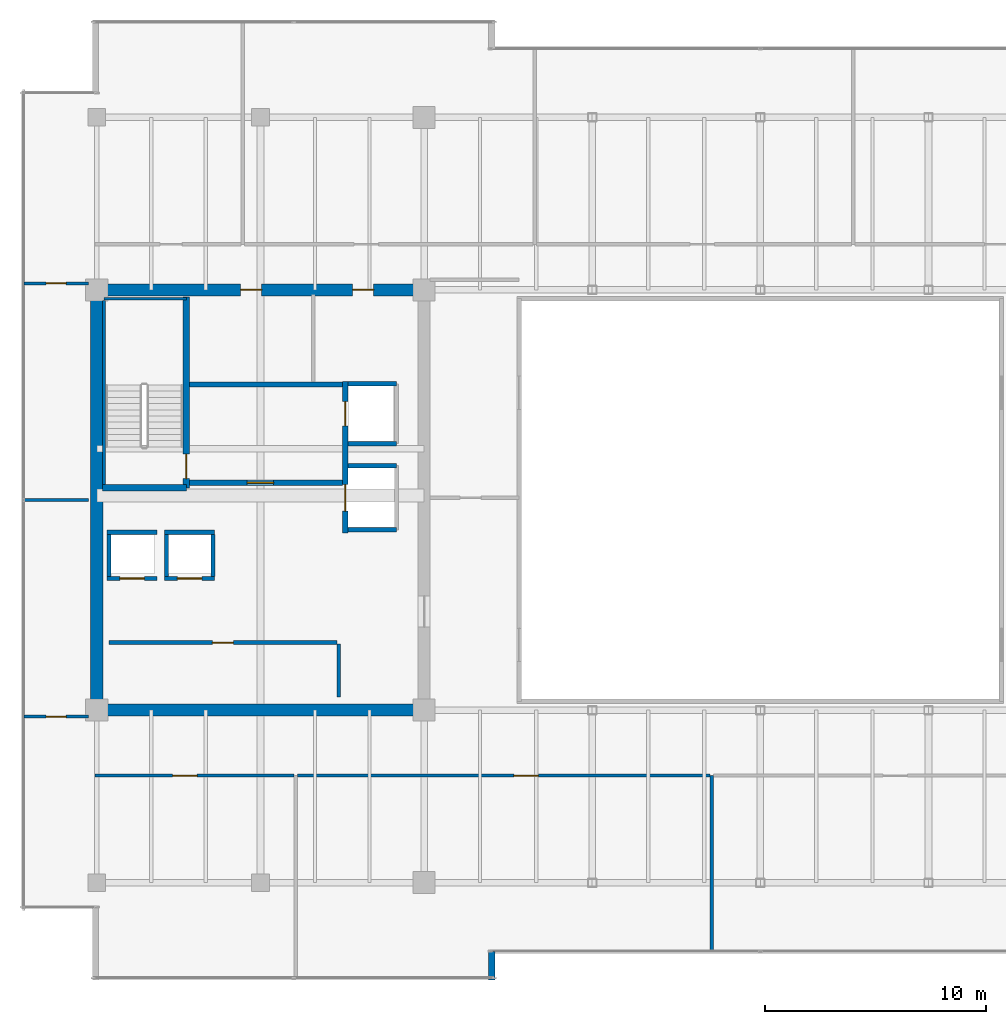
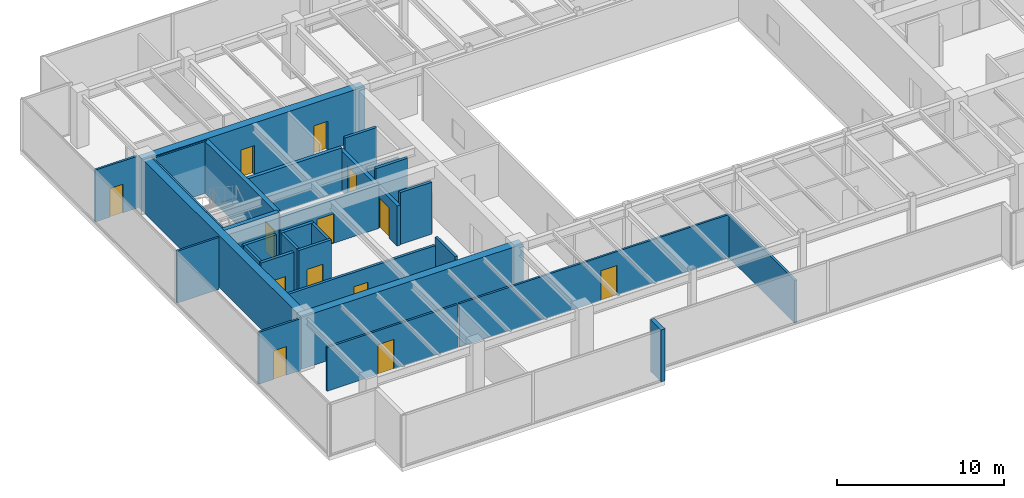
# One storey, part 28 of 33: 30 walls, 13 doors, 13 openings.
"""IFC4 building model written with IfcOpenShell, lengths in metres."""

from ifc_helpers import new_model, si_unit, direction, frame, frame_2d, origin, place, context, subcontext, project, spatial, rectangle, extrude, source, transform, mapped, material, layer, layer_set, type_object, type_shapes, element, fill, save


model = new_model("IFC4")

# Units and contexts
model_context = context("Model", 3, precision=1e-05, world=origin(), true_north=direction((0.0, 1.0)))
body_context = subcontext(model_context, "Body", "Model", "MODEL_VIEW")
ifc_project = project(units=[si_unit("LENGTHUNIT", "METRE"), si_unit("AREAUNIT", "SQUARE_METRE"), si_unit("VOLUMEUNIT", "CUBIC_METRE"), si_unit("PLANEANGLEUNIT", "RADIAN"), si_unit("MASSUNIT", "GRAM", prefix="KILO")], contexts=[model_context])

# Site, building, storey
site_placement = place(None, origin())
site = spatial("IfcSite", under=ifc_project, at=site_placement, CompositionType="ELEMENT")
building_placement = place(site_placement, origin())
building = spatial("IfcBuilding", under=site, at=building_placement, Name="Haelvirn Gate Laboratories", CompositionType="ELEMENT")
storey_placement = place(building_placement, frame((0.0, 0.0, 217.800048828125)))
storey = spatial("IfcBuildingStorey", under=building, at=storey_placement, Name="L52", CompositionType="ELEMENT", Elevation=217.800048828125)

# Walls
ifc_material_1 = material(Name="Thermally-broken bronze aluminium rainscreen & mineral wool", Category="aluminium")
ifc_layer_1 = layer(ifc_material_1, 0.280029296875, Name="EW-TERR-280")
ifc_layer_set_1 = layer_set([ifc_layer_1], Name="Thermally-broken bronze aluminium rainscreen & mineral wool")
wall_type_1 = type_object("IfcWallType", Name="EW-TERR-280", PredefinedType="STANDARD", material=ifc_layer_set_1)
wall_1_placement = place(storey_placement, frame((25.260009765625, 2.60009765625, 0.0), z_axis=(0.0, 0.0, 1.0), x_axis=(0.0, 1.0, 0.0)))
element("IfcWall", 1, at=wall_1_placement, inside=storey, type_object=wall_type_1, Name="L52 Atrium Recess Bronze Return Wall 01", PredefinedType="STANDARD", context=body_context, shape_type="SweptSolid", body=[
    extrude(rectangle(XDim=1.29296875, YDim=0.280029296875, at=frame_2d((0.646484375, 0.0))), origin(), (0.0, 0.0, 1.0), 3.800048828125),
])
ifc_material_2 = material(Name="Double-layer acoustic gypsum laboratory partition", Category="gypsum")
ifc_layer_2 = layer(ifc_material_2, 0.159912109375, Name="IW-ACOUST-160")
ifc_layer_set_2 = layer_set([ifc_layer_2], Name="Double-layer acoustic gypsum laboratory partition")
wall_type_2 = type_object("IfcWallType", Name="IW-ACOUST-160", PredefinedType="PARTITIONING", material=ifc_layer_set_2)
wall_2_placement = place(storey_placement, frame((35.199951171875, 3.909912109375, 0.0), z_axis=(0.0, 0.0, 1.0), x_axis=(0.0, 1.0, 0.0)))
element("IfcWall", 2, at=wall_2_placement, inside=storey, type_object=wall_type_2, Name="L52 Interior Wall IW-L52-SDIV-02", PredefinedType="PARTITIONING", context=body_context, shape_type="SweptSolid", body=[
    extrude(rectangle(XDim=7.93017578125, YDim=0.159912109375, at=frame_2d((3.965087890625, 0.0))), origin(), (0.0, 0.0, 1.0), 3.135009765625),
])

# Wall, opening, door
ifc_material_3 = material(Name="Acoustic mineral-wool gypsum board partition", Category="gypsum")
ifc_layer_3 = layer(ifc_material_3, 0.139892578125, Name="IW-PART-140")
ifc_layer_set_3 = layer_set([ifc_layer_3], Name="Acoustic mineral-wool gypsum board partition")
wall_type_3 = type_object("IfcWallType", Name="IW-PART-140", PredefinedType="PARTITIONING", material=ifc_layer_set_3)
wall_3_placement = place(storey_placement, frame((7.31005859375, 11.840087890625, 0.0), z_axis=(0.0, 0.0, 1.0), x_axis=(1.0, 0.0, 0.0)))
wall_3 = element("IfcWall", 3, at=wall_3_placement, inside=storey, type_object=wall_type_3, Name="L52 Interior Wall IW-L52-SCORR-01", PredefinedType="PARTITIONING", context=body_context, shape_type="SweptSolid", body=[
    extrude(rectangle(XDim=9.010009765625, YDim=0.139892578125, at=frame_2d((4.5048828125, 0.0))), origin(), (0.0, 0.0, 1.0), 3.197021484375),
])
opening_1_placement = place(wall_3_placement, frame((3.5224609375, 0.0, 0.0)))
opening_1 = element("IfcOpeningElement", 4, at=opening_1_placement, cuts=wall_3, Name="Opening D1", PredefinedType="OPENING", context=body_context, shape_type="SweptSolid", body=[
    extrude(rectangle(XDim=1.10009765625, YDim=2.179931640625, at=frame_2d((0.550048828125, 1.08984375))), frame((0.0, 0.080078125, 0.0), z_axis=(0.0, -1.0, 0.0), x_axis=(1.0, 0.0, 0.0)), (0.0, 0.0, 1.0), 0.159912109375),
])
ifc_material_4 = material(Name="Vision-panel acoustic solid-core timber lab door", Category="wood")
door_type_1 = type_object("IfcDoorType", Name="DR-LAB-1100", OperationType="NOTDEFINED", PredefinedType="DOOR", material=ifc_material_4)
shared_shape_1 = source(origin(), body_context, "Body", "SweptSolid", [
    extrude(rectangle(XDim=1.10009765625, YDim=2.179931640625, at=frame_2d((0.550048828125, 1.08984375))), frame((0.0, 0.02490234375, 0.0), z_axis=(0.0, -1.0, 0.0), x_axis=(1.0, 0.0, 0.0)), (0.0, 0.0, 1.0), 0.050048828125),
])
type_shapes(door_type_1, [shared_shape_1])
door_1_placement = place(opening_1_placement, origin())
door_1 = element("IfcDoor", 5, at=door_1_placement, inside=storey, type_object=door_type_1, Name="L52 Bioinformatics Dry-Lab Workspace Door S1", OperationType="SINGLE_SWING_LEFT", OverallHeight=2.179931640625, OverallWidth=1.10009765625, PredefinedType="DOOR", context=body_context, shape_type="MappedRepresentation", body=[
    mapped(shared_shape_1, transform((0.0, 0.0, 0.0), scale=1.0)),
])
fill(opening_1, door_1)

wall_4_placement = place(storey_placement, frame((16.47998046875, 11.840087890625, 0.0), z_axis=(0.0, 0.0, 1.0), x_axis=(1.0, 0.0, 0.0)))
wall_4 = element("IfcWall", 6, at=wall_4_placement, inside=storey, type_object=wall_type_3, Name="L52 Interior Wall IW-L52-SCORR-02", PredefinedType="PARTITIONING", context=body_context, shape_type="SweptSolid", body=[
    extrude(rectangle(XDim=18.64013671875, YDim=0.139892578125, at=frame_2d((9.320068359375, 0.0))), origin(), (0.0, 0.0, 1.0), 3.197021484375),
])
opening_2_placement = place(wall_4_placement, frame((9.780517578125, 0.0, 0.0)))
opening_2 = element("IfcOpeningElement", 7, at=opening_2_placement, cuts=wall_4, Name="Opening D1", PredefinedType="OPENING", context=body_context, shape_type="SweptSolid", body=[
    extrude(rectangle(XDim=1.10009765625, YDim=2.179931640625, at=frame_2d((0.550048828125, 1.08984375))), frame((0.0, 0.080078125, 0.0), z_axis=(0.0, -1.0, 0.0), x_axis=(1.0, 0.0, 0.0)), (0.0, 0.0, 1.0), 0.159912109375),
])
door_2_placement = place(opening_2_placement, origin())
door_2 = element("IfcDoor", 8, at=door_2_placement, inside=storey, type_object=door_type_1, Name="L52 Translational Data Office Door S2", OperationType="SINGLE_SWING_RIGHT", OverallHeight=2.179931640625, OverallWidth=1.10009765625, PredefinedType="DOOR", context=body_context, shape_type="MappedRepresentation", body=[
    mapped(shared_shape_1, transform((0.0, 0.0, 0.0), scale=1.0)),
])
fill(opening_2, door_2)

# Wall
wall_5_placement = place(storey_placement, frame((4.110107421875, 24.300048828125, 0.0), z_axis=(0.0, 0.0, 1.0), x_axis=(1.0, 0.0, 0.0)))
element("IfcWall", 9, at=wall_5_placement, inside=storey, type_object=wall_type_3, Name="L52 Interior Wall IW-L52-WZ3-MID", PredefinedType="PARTITIONING", context=body_context, shape_type="SweptSolid", body=[
    extrude(rectangle(XDim=2.909912109375, YDim=0.139892578125, at=frame_2d((1.455078125, 0.0))), origin(), (0.0, 0.0, 1.0), 3.800048828125),
])

# Wall, opening, door
wall_6_placement = place(storey_placement, frame((4.110107421875, 14.5048828125, 0.0), z_axis=(0.0, 0.0, 1.0), x_axis=(1.0, 0.0, 0.0)))
wall_6 = element("IfcWall", 10, at=wall_6_placement, inside=storey, type_object=wall_type_3, Name="L52 Interior Wall IW-L52-WZ3-ENT-S", PredefinedType="PARTITIONING", context=body_context, shape_type="SweptSolid", body=[
    extrude(rectangle(XDim=2.909912109375, YDim=0.139892578125, at=frame_2d((1.455078125, 0.0))), origin(), (0.0, 0.0, 1.0), 3.800048828125),
])
opening_3_placement = place(wall_6_placement, frame((1.0048828125, 0.0, 0.0)))
opening_3 = element("IfcOpeningElement", 11, at=opening_3_placement, cuts=wall_6, Name="Opening D4", PredefinedType="OPENING", context=body_context, shape_type="SweptSolid", body=[
    extrude(rectangle(XDim=0.89990234375, YDim=2.10009765625, at=frame_2d((0.449951171875, 1.050048828125))), frame((0.0, 0.080078125, 0.0), z_axis=(0.0, -1.0, 0.0), x_axis=(1.0, 0.0, 0.0)), (0.0, 0.0, 1.0), 0.159912109375),
])
ifc_material_5 = material(Name="Glazed aluminium-framed write-up door", Category="aluminium")
door_type_2 = type_object("IfcDoorType", Name="DR-OFF-900", OperationType="NOTDEFINED", PredefinedType="DOOR", material=ifc_material_5)
shared_shape_2 = source(origin(), body_context, "Body", "SweptSolid", [
    extrude(rectangle(XDim=0.89990234375, YDim=2.10009765625, at=frame_2d((0.449951171875, 1.050048828125))), frame((0.0, 0.02490234375, 0.0), z_axis=(0.0, -1.0, 0.0), x_axis=(1.0, 0.0, 0.0)), (0.0, 0.0, 1.0), 0.050048828125),
])
type_shapes(door_type_2, [shared_shape_2])
door_3_placement = place(opening_3_placement, origin())
door_3 = element("IfcDoor", 12, at=door_3_placement, inside=storey, type_object=door_type_2, Name="L52 Occupational Biosafety Clinic Door W-S", OperationType="SINGLE_SWING_LEFT", OverallHeight=2.10009765625, OverallWidth=0.89990234375, PredefinedType="DOOR", context=body_context, shape_type="MappedRepresentation", body=[
    mapped(shared_shape_2, transform((0.0, 0.0, 0.0), scale=1.0)),
])
fill(opening_3, door_3)

wall_7_placement = place(storey_placement, frame((4.110107421875, 34.094970703125, 0.0), z_axis=(0.0, 0.0, 1.0), x_axis=(1.0, 0.0, 0.0)))
wall_7 = element("IfcWall", 13, at=wall_7_placement, inside=storey, type_object=wall_type_3, Name="L52 Interior Wall IW-L52-WZ3-ENT-N", PredefinedType="PARTITIONING", context=body_context, shape_type="SweptSolid", body=[
    extrude(rectangle(XDim=2.909912109375, YDim=0.139892578125, at=frame_2d((1.455078125, 0.0))), origin(), (0.0, 0.0, 1.0), 3.800048828125),
])
opening_4_placement = place(wall_7_placement, frame((1.0048828125, 0.0, 0.0)))
opening_4 = element("IfcOpeningElement", 14, at=opening_4_placement, cuts=wall_7, Name="Opening D4", PredefinedType="OPENING", context=body_context, shape_type="SweptSolid", body=[
    extrude(rectangle(XDim=0.89990234375, YDim=2.10009765625, at=frame_2d((0.449951171875, 1.050048828125))), frame((0.0, 0.080078125, 0.0), z_axis=(0.0, -1.0, 0.0), x_axis=(1.0, 0.0, 0.0)), (0.0, 0.0, 1.0), 0.159912109375),
])
door_4_placement = place(opening_4_placement, origin())
door_4 = element("IfcDoor", 15, at=door_4_placement, inside=storey, type_object=door_type_2, Name="L52 Researcher Break Pantry Door W-N", OperationType="SINGLE_SWING_RIGHT", OverallHeight=2.10009765625, OverallWidth=0.89990234375, PredefinedType="DOOR", context=body_context, shape_type="MappedRepresentation", body=[
    mapped(shared_shape_2, transform((0.0, 0.0, 0.0), scale=1.0)),
])
fill(opening_4, door_4)

# Walls
ifc_material_6 = material(Name="Concrete C40/50", Category="concrete")
ifc_layer_4 = layer(ifc_material_6, 0.179931640625, Name="IW-SHAFT-180")
ifc_layer_set_4 = layer_set([ifc_layer_4], Name="Concrete C40/50")
wall_type_4 = type_object("IfcWallType", Name="IW-SHAFT-180", PredefinedType="SOLIDWALL", material=ifc_layer_set_4)
for number, where, z_axis, x_axis, name in (
    (16, (7.949951171875, 20.85009765625, 0.0), (0.0, 0.0, 1.0), (0.0, 1.0, 0.0), "L52 Interior Wall IW-L52-PL9-SD"),
    (17, (10.550048828125, 20.85009765625, 0.0), (0.0, 0.0, 1.0), (0.0, 1.0, 0.0), "L52 Interior Wall IW-L52-PL10-SD"),
    (18, (12.64990234375, 20.85009765625, 0.0), (0.0, 0.0, 1.0), (0.0, 1.0, 0.0), "L52 Interior Wall IW-L52-PL10-SDE"),
):
    element("IfcWall", number, at=place(storey_placement, frame(where, z_axis=z_axis, x_axis=x_axis)), inside=storey, type_object=wall_type_4, Name=name, PredefinedType="SOLIDWALL", context=body_context, shape_type="SweptSolid", body=[
        extrude(rectangle(XDim=1.89990234375, YDim=0.179931640625, at=frame_2d((0.949951171875, 0.0))), origin(), (0.0, 0.0, 1.0), 3.800048828125),
    ])

# Wall, opening, door
wall_8_placement = place(storey_placement, frame((7.949951171875, 17.85009765625, 0.0), z_axis=(0.0, 0.0, 1.0), x_axis=(1.0, 0.0, 0.0)))
wall_8 = element("IfcWall", 19, at=wall_8_placement, inside=storey, type_object=wall_type_4, Name="L52 Interior Wall IW-L52-W-FREED-HN-1", PredefinedType="SOLIDWALL", context=body_context, shape_type="SweptSolid", body=[
    extrude(rectangle(XDim=10.300048828125, YDim=0.179931640625, at=frame_2d((5.14990234375, 0.0))), origin(), (0.0, 0.0, 1.0), 3.197021484375),
])
opening_5_placement = place(wall_8_placement, frame((4.675048828125, 0.0, 0.0)))
opening_5 = element("IfcOpeningElement", 20, at=opening_5_placement, cuts=wall_8, Name="Opening FD4", PredefinedType="OPENING", context=body_context, shape_type="SweptSolid", body=[
    extrude(rectangle(XDim=0.949951171875, YDim=2.14990234375, at=frame_2d((0.47509765625, 1.074951171875))), frame((0.0, 0.10009765625, 0.0), z_axis=(0.0, -1.0, 0.0), x_axis=(1.0, 0.0, 0.0)), (0.0, 0.0, 1.0), 0.199951171875),
])
ifc_material_7 = material(Name="Fire-rated steel SM355 core service door", Category="steel")
door_type_3 = type_object("IfcDoorType", Name="DR-FD-950", OperationType="NOTDEFINED", PredefinedType="DOOR", material=ifc_material_7)
shared_shape_3 = source(origin(), body_context, "Body", "SweptSolid", [
    extrude(rectangle(XDim=0.949951171875, YDim=2.14990234375, at=frame_2d((0.47509765625, 1.074951171875))), frame((0.0, 0.02490234375, 0.0), z_axis=(0.0, -1.0, 0.0), x_axis=(1.0, 0.0, 0.0)), (0.0, 0.0, 1.0), 0.050048828125),
])
type_shapes(door_type_3, [shared_shape_3])
door_5_placement = place(opening_5_placement, origin())
door_5 = element("IfcDoor", 21, at=door_5_placement, inside=storey, type_object=door_type_3, Name="L52 High-Zone Cryogenic Biobank Vault Door", OperationType="SINGLE_SWING_LEFT", OverallHeight=2.14990234375, OverallWidth=0.949951171875, PredefinedType="DOOR", context=body_context, shape_type="MappedRepresentation", body=[
    mapped(shared_shape_3, transform((0.0, 0.0, 0.0), scale=1.0)),
])
fill(opening_5, door_5)

# Wall
wall_9_placement = place(storey_placement, frame((18.340087890625, 15.39990234375, 0.0), z_axis=(0.0, 0.0, 1.0), x_axis=(0.0, 1.0, 0.0)))
element("IfcWall", 22, at=wall_9_placement, inside=storey, type_object=wall_type_4, Name="L52 Interior Wall IW-L52-W-FREED-HE-1", PredefinedType="SOLIDWALL", context=body_context, shape_type="SweptSolid", body=[
    extrude(rectangle(XDim=2.400146484375, YDim=0.179931640625, at=frame_2d((1.2001953125, 0.0))), origin(), (0.0, 0.0, 1.0), 3.800048828125),
])

# Wall, opening, door
ifc_layer_5 = layer(ifc_material_6, 0.199951171875, Name="IW-SHAFT-200")
ifc_layer_set_5 = layer_set([ifc_layer_5], Name="Concrete C40/50")
wall_type_5 = type_object("IfcWallType", Name="IW-SHAFT-200", PredefinedType="SOLIDWALL", material=ifc_layer_set_5)
wall_10_placement = place(storey_placement, frame((7.8701171875, 20.75, 0.0), z_axis=(0.0, 0.0, 1.0), x_axis=(1.0, 0.0, 0.0)))
wall_10 = element("IfcWall", 23, at=wall_10_placement, inside=storey, type_object=wall_type_5, Name="L52 Interior Wall IW-L52-PL9-FR", PredefinedType="SOLIDWALL", context=body_context, shape_type="SweptSolid", body=[
    extrude(rectangle(XDim=2.259765625, YDim=0.199951171875, at=frame_2d((1.1298828125, 0.0))), origin(), (0.0, 0.0, 1.0), 3.800048828125),
])
opening_6_placement = place(wall_10_placement, frame((0.580078125, 0.0, 0.0)))
opening_6 = element("IfcOpeningElement", 24, at=opening_6_placement, cuts=wall_10, Name="Opening LD2", PredefinedType="OPENING", context=body_context, shape_type="SweptSolid", body=[
    extrude(rectangle(XDim=1.10009765625, YDim=2.219970703125, at=frame_2d((0.550048828125, 1.10986328125))), frame((0.0, 0.10986328125, 0.0), z_axis=(0.0, -1.0, 0.0), x_axis=(1.0, 0.0, 0.0)), (0.0, 0.0, 1.0), 0.219970703125),
])
ifc_material_8 = material(Name="Bronze stainless 316L sliding lift landing door")
door_type_4 = type_object("IfcDoorType", Name="DR-LD-1100", OperationType="NOTDEFINED", PredefinedType="USERDEFINED", material=ifc_material_8)
shared_shape_4 = source(origin(), body_context, "Body", "SweptSolid", [
    extrude(rectangle(XDim=1.10009765625, YDim=2.219970703125, at=frame_2d((0.550048828125, 1.10986328125))), frame((0.0, 0.02490234375, 0.0), z_axis=(0.0, -1.0, 0.0), x_axis=(1.0, 0.0, 0.0)), (0.0, 0.0, 1.0), 0.050048828125),
])
type_shapes(door_type_4, [shared_shape_4])
door_6_placement = place(opening_6_placement, origin())
door_6 = element("IfcDoor", 25, at=door_6_placement, inside=storey, type_object=door_type_4, Name="L52 Passenger Lift PL9 Landing Door", ObjectType="LANDING_DOOR", OperationType="SLIDING_TO_LEFT", OverallHeight=2.219970703125, OverallWidth=1.10009765625, PredefinedType="USERDEFINED", context=body_context, shape_type="MappedRepresentation", body=[
    mapped(shared_shape_4, transform((0.0, 0.0, 0.0), scale=1.0)),
])
fill(opening_6, door_6)

# Wall
wall_11_placement = place(storey_placement, frame((7.8701171875, 22.85009765625, 0.0), z_axis=(0.0, 0.0, 1.0), x_axis=(1.0, 0.0, 0.0)))
element("IfcWall", 26, at=wall_11_placement, inside=storey, type_object=wall_type_5, Name="L52 Interior Wall IW-L52-PL9-BK", PredefinedType="SOLIDWALL", context=body_context, shape_type="SweptSolid", body=[
    extrude(rectangle(XDim=2.259765625, YDim=0.199951171875, at=frame_2d((1.1298828125, 0.0))), origin(), (0.0, 0.0, 1.0), 3.800048828125),
])

# Wall, opening, door
wall_12_placement = place(storey_placement, frame((10.469970703125, 20.75, 0.0), z_axis=(0.0, 0.0, 1.0), x_axis=(1.0, 0.0, 0.0)))
wall_12 = element("IfcWall", 27, at=wall_12_placement, inside=storey, type_object=wall_type_5, Name="L52 Interior Wall IW-L52-PL10-FR", PredefinedType="SOLIDWALL", context=body_context, shape_type="SweptSolid", body=[
    extrude(rectangle(XDim=2.260009765625, YDim=0.199951171875, at=frame_2d((1.1298828125, 0.0))), origin(), (0.0, 0.0, 1.0), 3.800048828125),
])
opening_7_placement = place(wall_12_placement, frame((0.580078125, 0.0, 0.0)))
opening_7 = element("IfcOpeningElement", 28, at=opening_7_placement, cuts=wall_12, Name="Opening LD2", PredefinedType="OPENING", context=body_context, shape_type="SweptSolid", body=[
    extrude(rectangle(XDim=1.10009765625, YDim=2.219970703125, at=frame_2d((0.550048828125, 1.10986328125))), frame((0.0, 0.10986328125, 0.0), z_axis=(0.0, -1.0, 0.0), x_axis=(1.0, 0.0, 0.0)), (0.0, 0.0, 1.0), 0.219970703125),
])
door_7_placement = place(opening_7_placement, origin())
door_7 = element("IfcDoor", 29, at=door_7_placement, inside=storey, type_object=door_type_4, Name="L52 Passenger Lift PL10 Landing Door", ObjectType="LANDING_DOOR", OperationType="SLIDING_TO_RIGHT", OverallHeight=2.219970703125, OverallWidth=1.10009765625, PredefinedType="USERDEFINED", context=body_context, shape_type="MappedRepresentation", body=[
    mapped(shared_shape_4, transform((0.0, 0.0, 0.0), scale=1.0)),
])
fill(opening_7, door_7)

# Walls
wall_13_placement = place(storey_placement, frame((10.469970703125, 22.85009765625, 0.0), z_axis=(0.0, 0.0, 1.0), x_axis=(1.0, 0.0, 0.0)))
element("IfcWall", 30, at=wall_13_placement, inside=storey, type_object=wall_type_5, Name="L52 Interior Wall IW-L52-PL10-BK", PredefinedType="SOLIDWALL", context=body_context, shape_type="SweptSolid", body=[
    extrude(rectangle(XDim=2.260009765625, YDim=0.199951171875, at=frame_2d((1.1298828125, 0.0))), origin(), (0.0, 0.0, 1.0), 3.800048828125),
])
wall_14_placement = place(storey_placement, frame((18.760009765625, 29.550048828125, 0.0), z_axis=(0.0, 0.0, 1.0), x_axis=(1.0, 0.0, 0.0)))
element("IfcWall", 31, at=wall_14_placement, inside=storey, type_object=wall_type_5, Name="L52 Interior Wall IW-L52-FL1-N", PredefinedType="SOLIDWALL", context=body_context, shape_type="SweptSolid", body=[
    extrude(rectangle(XDim=2.18994140625, YDim=0.199951171875, at=frame_2d((1.094970703125, 0.0))), origin(), (0.0, 0.0, 1.0), 3.800048828125),
])
wall_15_placement = place(storey_placement, frame((18.760009765625, 26.85009765625, 0.0), z_axis=(0.0, 0.0, 1.0), x_axis=(1.0, 0.0, 0.0)))
element("IfcWall", 32, at=wall_15_placement, inside=storey, type_object=wall_type_5, Name="L52 Interior Wall IW-L52-FL1-S", PredefinedType="SOLIDWALL", context=body_context, shape_type="SweptSolid", body=[
    extrude(rectangle(XDim=2.18994140625, YDim=0.199951171875, at=frame_2d((1.094970703125, 0.0))), origin(), (0.0, 0.0, 1.0), 3.197021484375),
])
for number, where, z_axis, x_axis, name in (
    (33, (18.760009765625, 25.85009765625, 0.0), (0.0, 0.0, 1.0), (1.0, 0.0, 0.0), "L52 Interior Wall IW-L52-SL1-N"),
    (34, (18.760009765625, 22.949951171875, 0.0), (0.0, 0.0, 1.0), (1.0, 0.0, 0.0), "L52 Interior Wall IW-L52-SL1-S"),
):
    element("IfcWall", number, at=place(storey_placement, frame(where, z_axis=z_axis, x_axis=x_axis)), inside=storey, type_object=wall_type_5, Name=name, PredefinedType="SOLIDWALL", context=body_context, shape_type="SweptSolid", body=[
        extrude(rectangle(XDim=2.18994140625, YDim=0.199951171875, at=frame_2d((1.094970703125, 0.0))), origin(), (0.0, 0.0, 1.0), 3.800048828125),
    ])

# Wall, opening, door
ifc_layer_6 = layer(ifc_material_6, 0.239990234375, Name="IW-SHAFT-240")
ifc_layer_set_6 = layer_set([ifc_layer_6], Name="Concrete C40/50")
wall_type_6 = type_object("IfcWallType", Name="IW-SHAFT-240", PredefinedType="SOLIDWALL", material=ifc_layer_set_6)
wall_16_placement = place(storey_placement, frame((11.60009765625, 25.080078125, 0.0), z_axis=(0.0, 0.0, 1.0), x_axis=(1.0, 0.0, 0.0)))
wall_16 = element("IfcWall", 35, at=wall_16_placement, inside=storey, type_object=wall_type_6, Name="L52 Interior Wall IW-L52-W-FF-S", PredefinedType="SOLIDWALL", context=body_context, shape_type="SweptSolid", body=[
    extrude(rectangle(XDim=6.919921875, YDim=0.239990234375, at=frame_2d((3.4599609375, 0.0))), origin(), (0.0, 0.0, 1.0), 3.197021484375),
])
opening_8_placement = place(wall_16_placement, frame((2.60009765625, 0.0, 0.0)))
opening_8 = element("IfcOpeningElement", 36, at=opening_8_placement, cuts=wall_16, Name="Opening FD2", PredefinedType="OPENING", context=body_context, shape_type="SweptSolid", body=[
    extrude(rectangle(XDim=1.199951171875, YDim=2.159912109375, at=frame_2d((0.60009765625, 1.080078125))), frame((0.0, 0.1298828125, 0.0), z_axis=(0.0, -1.0, 0.0), x_axis=(1.0, 0.0, 0.0)), (0.0, 0.0, 1.0), 0.260009765625),
])
ifc_material_9 = material(Name="Fire-rated steel SM355 compartment door", Category="steel")
door_type_5 = type_object("IfcDoorType", Name="DR-FD-1200", OperationType="NOTDEFINED", PredefinedType="DOOR", material=ifc_material_9)
shared_shape_5 = source(origin(), body_context, "Body", "SweptSolid", [
    extrude(rectangle(XDim=1.199951171875, YDim=2.159912109375, at=frame_2d((0.60009765625, 1.080078125))), frame((0.0, 0.02490234375, 0.0), z_axis=(0.0, -1.0, 0.0), x_axis=(1.0, 0.0, 0.0)), (0.0, 0.0, 1.0), 0.050048828125),
])
type_shapes(door_type_5, [shared_shape_5])
door_8_placement = place(opening_8_placement, origin())
door_8 = element("IfcDoor", 37, at=door_8_placement, inside=storey, type_object=door_type_5, Name="L52 West Firefighting Lobby Door", OperationType="SINGLE_SWING_RIGHT", OverallHeight=2.159912109375, OverallWidth=1.199951171875, PredefinedType="DOOR", context=body_context, shape_type="MappedRepresentation", body=[
    mapped(shared_shape_5, transform((0.0, 0.0, 0.0), scale=1.0)),
])
fill(opening_8, door_8)

# Wall
wall_17_placement = place(storey_placement, frame((11.60009765625, 29.52001953125, 0.0), z_axis=(0.0, 0.0, 1.0), x_axis=(1.0, 0.0, 0.0)))
element("IfcWall", 38, at=wall_17_placement, inside=storey, type_object=wall_type_6, Name="L52 Interior Wall IW-L52-W-FF-N", PredefinedType="SOLIDWALL", context=body_context, shape_type="SweptSolid", body=[
    extrude(rectangle(XDim=6.919921875, YDim=0.239990234375, at=frame_2d((3.4599609375, 0.0))), origin(), (0.0, 0.0, 1.0), 3.197021484375),
])

# Wall, openings, doors
wall_18_placement = place(storey_placement, frame((18.639892578125, 22.800048828125, 0.0), z_axis=(0.0, 0.0, 1.0), x_axis=(0.0, 1.0, 0.0)))
wall_18 = element("IfcWall", 39, at=wall_18_placement, inside=storey, type_object=wall_type_6, Name="L52 Interior Wall IW-L52-W-FF-E", PredefinedType="SOLIDWALL", context=body_context, shape_type="SweptSolid", body=[
    extrude(rectangle(XDim=6.849853515625, YDim=0.239990234375, at=frame_2d((3.4248046875, 0.0))), origin(), (0.0, 0.0, 1.0), 2.93505859375),
])
opening_9_placement = place(wall_18_placement, frame((4.85009765625, 0.0, 0.0)))
opening_9 = element("IfcOpeningElement", 40, at=opening_9_placement, cuts=wall_18, Name="Opening LD2", PredefinedType="OPENING", context=body_context, shape_type="SweptSolid", body=[
    extrude(rectangle(XDim=1.10009765625, YDim=2.219970703125, at=frame_2d((0.550048828125, 1.10986328125))), frame((0.0, 0.1298828125, 0.0), z_axis=(0.0, -1.0, 0.0), x_axis=(1.0, 0.0, 0.0)), (0.0, 0.0, 1.0), 0.260009765625),
])
opening_10_placement = place(wall_18_placement, frame((1.0, 0.0, 0.0)))
opening_10 = element("IfcOpeningElement", 41, at=opening_10_placement, cuts=wall_18, Name="Opening LD1", PredefinedType="OPENING", context=body_context, shape_type="SweptSolid", body=[
    extrude(rectangle(XDim=1.199951171875, YDim=2.219970703125, at=frame_2d((0.60009765625, 1.10986328125))), frame((0.0, 0.1298828125, 0.0), z_axis=(0.0, -1.0, 0.0), x_axis=(1.0, 0.0, 0.0)), (0.0, 0.0, 1.0), 0.260009765625),
])
door_9_placement = place(opening_9_placement, origin())
door_9 = element("IfcDoor", 42, at=door_9_placement, inside=storey, type_object=door_type_4, Name="L52 Firefighting Lift FL1 Landing Door", ObjectType="LANDING_DOOR", OperationType="SLIDING_TO_LEFT", OverallHeight=2.219970703125, OverallWidth=1.10009765625, PredefinedType="USERDEFINED", context=body_context, shape_type="MappedRepresentation", body=[
    mapped(shared_shape_4, transform((0.0, 0.0, 0.0), scale=1.0)),
])
fill(opening_9, door_9)
ifc_material_10 = material(Name="Stainless steel 316L sliding goods landing door", Category="steel")
door_type_6 = type_object("IfcDoorType", Name="DR-LD-1200", OperationType="NOTDEFINED", PredefinedType="USERDEFINED", material=ifc_material_10)
shared_shape_6 = source(origin(), body_context, "Body", "SweptSolid", [
    extrude(rectangle(XDim=1.199951171875, YDim=2.219970703125, at=frame_2d((0.60009765625, 1.10986328125))), frame((0.0, 0.02490234375, 0.0), z_axis=(0.0, -1.0, 0.0), x_axis=(1.0, 0.0, 0.0)), (0.0, 0.0, 1.0), 0.050048828125),
])
type_shapes(door_type_6, [shared_shape_6])
door_10_placement = place(opening_10_placement, origin())
door_10 = element("IfcDoor", 43, at=door_10_placement, inside=storey, type_object=door_type_6, Name="L52 Service Lift SL1 Landing Door", ObjectType="LANDING_DOOR", OperationType="SLIDING_TO_RIGHT", OverallHeight=2.219970703125, OverallWidth=1.199951171875, PredefinedType="USERDEFINED", context=body_context, shape_type="MappedRepresentation", body=[
    mapped(shared_shape_6, transform((0.0, 0.0, 0.0), scale=1.0)),
])
fill(opening_10, door_10)

# Wall
ifc_material_11 = material(Name="Concrete C50/60", Category="concrete")
ifc_layer_7 = layer(ifc_material_11, 0.550048828125, Name="SW-CORE-550")
ifc_layer_set_7 = layer_set([ifc_layer_7], Name="Concrete C50/60")
wall_type_7 = type_object("IfcWallType", Name="SW-CORE-550", PredefinedType="SHEAR", material=ifc_layer_set_7)
wall_19_placement = place(storey_placement, frame((7.125, 14.800048828125, 0.0), z_axis=(0.0, 0.0, 1.0), x_axis=(1.0, 0.0, 0.0)))
element("IfcWall", 44, at=wall_19_placement, inside=storey, type_object=wall_type_7, Name="L52 W Core Shear Wall S", PredefinedType="SHEAR", context=body_context, shape_type="SweptSolid", body=[
    extrude(rectangle(XDim=15.35009765625, YDim=0.550048828125, at=frame_2d((7.675048828125, 0.0))), origin(), (0.0, 0.0, 1.0), 3.800048828125),
])

# Wall, openings, doors
wall_20_placement = place(storey_placement, frame((7.125, 33.800048828125, 0.0), z_axis=(0.0, 0.0, 1.0), x_axis=(1.0, 0.0, 0.0)))
wall_20 = element("IfcWall", 45, at=wall_20_placement, inside=storey, type_object=wall_type_7, Name="L52 W Core Shear Wall N", PredefinedType="SHEAR", context=body_context, shape_type="SweptSolid", body=[
    extrude(rectangle(XDim=15.35009765625, YDim=0.550048828125, at=frame_2d((7.675048828125, 0.0))), origin(), (0.0, 0.0, 1.0), 3.800048828125),
])
opening_11_placement = place(wall_20_placement, frame((6.77490234375, 0.0, 0.0)))
opening_11 = element("IfcOpeningElement", 46, at=opening_11_placement, cuts=wall_20, Name="Opening FD4", PredefinedType="OPENING", context=body_context, shape_type="SweptSolid", body=[
    extrude(rectangle(XDim=0.949951171875, YDim=2.14990234375, at=frame_2d((0.47509765625, 1.074951171875))), frame((0.0, 0.28515625, 0.0), z_axis=(0.0, -1.0, 0.0), x_axis=(1.0, 0.0, 0.0)), (0.0, 0.0, 1.0), 0.570068359375),
])
opening_12_placement = place(wall_20_placement, frame((11.840087890625, 0.0, 0.0)))
opening_12 = element("IfcOpeningElement", 47, at=opening_12_placement, cuts=wall_20, Name="Opening FD4", PredefinedType="OPENING", context=body_context, shape_type="SweptSolid", body=[
    extrude(rectangle(XDim=0.949951171875, YDim=2.14990234375, at=frame_2d((0.47509765625, 1.074951171875))), frame((0.0, 0.28515625, 0.0), z_axis=(0.0, -1.0, 0.0), x_axis=(1.0, 0.0, 0.0)), (0.0, 0.0, 1.0), 0.570068359375),
])
door_11_placement = place(opening_11_placement, origin())
door_11 = element("IfcDoor", 48, at=door_11_placement, inside=storey, type_object=door_type_3, Name="L52 All-Gender Multi-Stall Restroom Fire Door", OperationType="SINGLE_SWING_LEFT", OverallHeight=2.14990234375, OverallWidth=0.949951171875, PredefinedType="DOOR", context=body_context, shape_type="MappedRepresentation", body=[
    mapped(shared_shape_3, transform((0.0, 0.0, 0.0), scale=1.0)),
])
fill(opening_11, door_11)
door_12_placement = place(opening_12_placement, origin())
door_12 = element("IfcDoor", 49, at=door_12_placement, inside=storey, type_object=door_type_3, Name="L52 Accessible Restroom Fire Door", OperationType="SINGLE_SWING_RIGHT", OverallHeight=2.14990234375, OverallWidth=0.949951171875, PredefinedType="DOOR", context=body_context, shape_type="MappedRepresentation", body=[
    mapped(shared_shape_3, transform((0.0, 0.0, 0.0), scale=1.0)),
])
fill(opening_12, door_12)

# Walls
wall_21_placement = place(storey_placement, frame((7.39990234375, 15.074951171875, 0.0), z_axis=(0.0, 0.0, 1.0), x_axis=(0.0, 1.0, 0.0)))
element("IfcWall", 50, at=wall_21_placement, inside=storey, type_object=wall_type_7, Name="L52 W Core Shear Wall W", PredefinedType="SHEAR", context=body_context, shape_type="SweptSolid", body=[
    extrude(rectangle(XDim=18.449951171875, YDim=0.550048828125, at=frame_2d((9.22509765625, 0.0))), origin(), (0.0, 0.0, 1.0), 3.800048828125),
])
ifc_layer_8 = layer(ifc_material_11, 0.1201171875, Name="SW-LINER-120")
ifc_layer_set_8 = layer_set([ifc_layer_8], Name="Concrete C50/60")
wall_type_8 = type_object("IfcWallType", Name="SW-LINER-120", PredefinedType="SOLIDWALL", material=ifc_layer_set_8)
wall_22_placement = place(storey_placement, frame((7.72998046875, 33.39990234375, 0.0), z_axis=(0.0, 0.0, 1.0), x_axis=(1.0, 0.0, 0.0)))
element("IfcWall", 51, at=wall_22_placement, inside=storey, type_object=wall_type_8, Name="L52 W Core Stair Shaft Liner Wall N", PredefinedType="SOLIDWALL", context=body_context, shape_type="SweptSolid", body=[
    extrude(rectangle(XDim=3.719970703125, YDim=0.1201171875, at=frame_2d((1.85986328125, 0.0))), origin(), (0.0, 0.0, 1.0), 3.800048828125),
])
wall_23_placement = place(storey_placement, frame((7.72998046875, 25.0, 0.0), z_axis=(0.0, 0.0, 1.0), x_axis=(0.0, 1.0, 0.0)))
element("IfcWall", 52, at=wall_23_placement, inside=storey, type_object=wall_type_8, Name="L52 W Core Stair Shaft Liner Wall OUT", PredefinedType="SOLIDWALL", context=body_context, shape_type="SweptSolid", body=[
    extrude(rectangle(XDim=8.320068359375, YDim=0.1201171875, at=frame_2d((4.16015625, 0.0))), origin(), (0.0, 0.0, 1.0), 3.800048828125),
])

# Wall, opening, door
ifc_layer_9 = layer(ifc_material_11, 0.300048828125, Name="SW-STAIR-300")
ifc_layer_set_9 = layer_set([ifc_layer_9], Name="Concrete C50/60")
wall_type_9 = type_object("IfcWallType", Name="SW-STAIR-300", PredefinedType="SHEAR", material=ifc_layer_set_9)
wall_24_placement = place(storey_placement, frame((11.449951171875, 24.85009765625, 0.0), z_axis=(0.0, 0.0, 1.0), x_axis=(0.0, 1.0, 0.0)))
wall_24 = element("IfcWall", 53, at=wall_24_placement, inside=storey, type_object=wall_type_9, Name="L52 W Core Stair Shaft Structural Wall IN", PredefinedType="SHEAR", context=body_context, shape_type="SweptSolid", body=[
    extrude(rectangle(XDim=8.6298828125, YDim=0.300048828125, at=frame_2d((4.31494140625, 0.0))), origin(), (0.0, 0.0, 1.0), 3.800048828125),
])
opening_13_placement = place(wall_24_placement, frame((0.419921875, 0.0, 0.0)))
opening_13 = element("IfcOpeningElement", 54, at=opening_13_placement, cuts=wall_24, Name="Opening FD3", PredefinedType="OPENING", context=body_context, shape_type="SweptSolid", body=[
    extrude(rectangle(XDim=1.10009765625, YDim=2.14990234375, at=frame_2d((0.550048828125, 1.074951171875))), frame((0.0, 0.16015625, 0.0), z_axis=(0.0, -1.0, 0.0), x_axis=(1.0, 0.0, 0.0)), (0.0, 0.0, 1.0), 0.320068359375),
])
ifc_material_12 = material(Name="Fire-rated steel SM355 escape stair door", Category="steel")
door_type_7 = type_object("IfcDoorType", Name="DR-FD-1100", OperationType="NOTDEFINED", PredefinedType="DOOR", material=ifc_material_12)
shared_shape_7 = source(origin(), body_context, "Body", "SweptSolid", [
    extrude(rectangle(XDim=1.10009765625, YDim=2.14990234375, at=frame_2d((0.550048828125, 1.074951171875))), frame((0.0, 0.02490234375, 0.0), z_axis=(0.0, -1.0, 0.0), x_axis=(1.0, 0.0, 0.0)), (0.0, 0.0, 1.0), 0.050048828125),
])
type_shapes(door_type_7, [shared_shape_7])
door_13_placement = place(opening_13_placement, origin())
door_13 = element("IfcDoor", 55, at=door_13_placement, inside=storey, type_object=door_type_7, Name="L52 Escape Stair ST1 Fire Door", OperationType="SINGLE_SWING_LEFT", OverallHeight=2.14990234375, OverallWidth=1.10009765625, PredefinedType="DOOR", context=body_context, shape_type="MappedRepresentation", body=[
    mapped(shared_shape_7, transform((0.0, 0.0, 0.0), scale=1.0)),
])
fill(opening_13, door_13)

# Wall
wall_25_placement = place(storey_placement, frame((7.64990234375, 24.85009765625, 0.0), z_axis=(0.0, 0.0, 1.0), x_axis=(1.0, 0.0, 0.0)))
element("IfcWall", 56, at=wall_25_placement, inside=storey, type_object=wall_type_9, Name="L52 W Core Stair Shaft Structural Wall S", PredefinedType="SHEAR", context=body_context, shape_type="SweptSolid", body=[
    extrude(rectangle(XDim=3.800048828125, YDim=0.300048828125, at=frame_2d((1.89990234375, 0.0))), origin(), (0.0, 0.0, 1.0), 3.800048828125),
])

save(model, "model.ifc")
